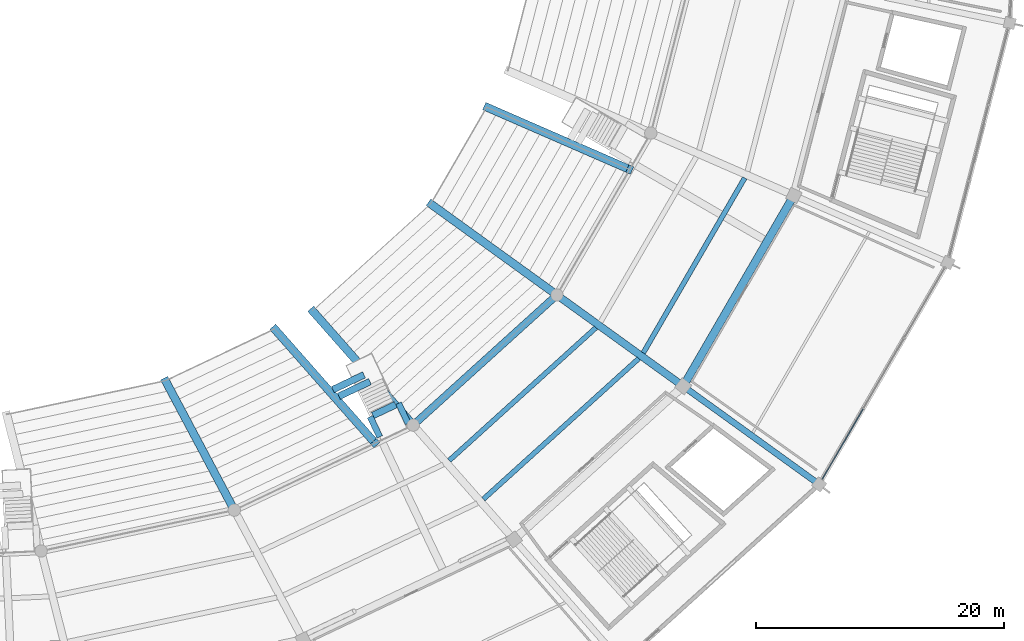
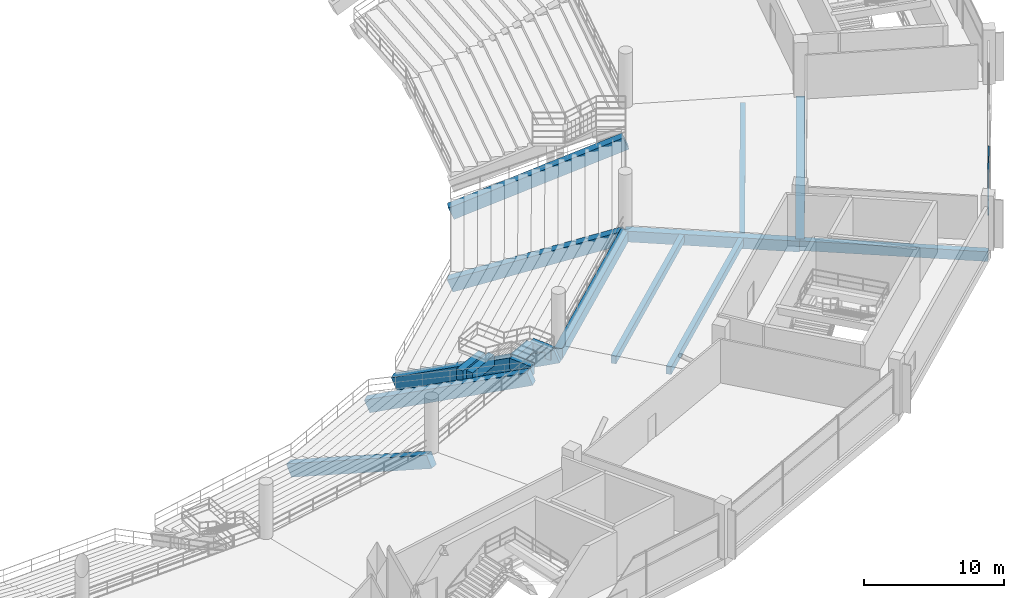
# One storey, part 50 of 156: 17 beams, 2 members, 1 element without a shape of its own.
"""IFC4 building model written with IfcOpenShell, lengths in metres."""

from ifc_helpers import new_model, si_unit, direction, frame, origin, origin_2d, place, context, subcontext, project, spatial, rectangle, hollow_rectangle, extrude, material, layer, layer_set, material_profile, profile_set, type_object, element, aggregate, save


model = new_model("IFC4")

# Units and contexts
model_context = context("Model", 3, precision=1e-05, world=origin(), true_north=direction((0.0, 1.0)))
body_context = subcontext(model_context, "Body", "Model", "MODEL_VIEW")
ifc_project = project(units=[si_unit("LENGTHUNIT", "METRE"), si_unit("AREAUNIT", "SQUARE_METRE"), si_unit("VOLUMEUNIT", "CUBIC_METRE"), si_unit("PLANEANGLEUNIT", "RADIAN"), si_unit("MASSUNIT", "GRAM", prefix="KILO")], contexts=[model_context])

# Site, building, storey
site_placement = place(None, origin())
site = spatial("IfcSite", under=ifc_project, at=site_placement, CompositionType="ELEMENT")
building_placement = place(site_placement, origin())
building = spatial("IfcBuilding", under=site, at=building_placement, Name="Kazemori Nagisa Stadium", CompositionType="ELEMENT")
storey_placement = place(building_placement, frame((0.0, 0.0, 5.780029296875)))
storey = spatial("IfcBuildingStorey", under=building, at=storey_placement, Name="L01", CompositionType="ELEMENT", Elevation=5.780029296875)

# Beams
ifc_material_1 = material(Name="Concrete C40/50 (Fc42)", Category="concrete")
ifc_material_profile_1 = material_profile(ifc_material_1, rectangle(XDim=0.5, YDim=0.85009765625, at=origin_2d()), Name="RC-BM-500x850")
ifc_profile_set_1 = profile_set([ifc_material_profile_1], Name="Concrete C40/50 (Fc42)")
beam_type_1 = type_object("IfcBeamType", Name="Beam_BG-RC500X850", PredefinedType="BEAM", material=ifc_profile_set_1)
beam_1_placement = place(storey_placement, frame((190.506103515625, 53.265869140625, -0.705078125), z_axis=(0.810787509935, -0.585340596349, 0.0), x_axis=(0.585340596349, 0.810787509935, 0.0)))
element("IfcBeam", 1, at=beam_1_placement, inside=storey, type_object=beam_type_1, Name="Radial girder BG-RC500X850 L01 R2-R3-26", PredefinedType="BEAM", context=body_context, shape_type="SweptSolid", body=[
    extrude(rectangle(XDim=0.5, YDim=0.85009765625, at=origin_2d()), origin(), (0.0, 0.0, 1.0), 13.5537109375),
])
ifc_material_profile_2 = material_profile(ifc_material_1, rectangle(XDim=0.60009765625, YDim=0.949951171875, at=origin_2d()), Name="RC-BM-600x950")
ifc_profile_set_2 = profile_set([ifc_material_profile_2], Name="Concrete C40/50 (Fc42)")
beam_type_2 = type_object("IfcBeamType", Name="Beam_BG-RC600X950", PredefinedType="BEAM", material=ifc_profile_set_2)
beam_2_placement = place(storey_placement, frame((168.696533203125, 50.126953125, -0.755126953125), z_axis=(0.741349160152, 0.6711195294, 0.0), x_axis=(-0.6711195294, 0.741349160152, 0.0)))
element("IfcBeam", 2, at=beam_2_placement, inside=storey, type_object=beam_type_2, Name="Ring girder BG-RC600X950 L01 R1-25", PredefinedType="BEAM", context=body_context, shape_type="SweptSolid", body=[
    extrude(rectangle(XDim=0.60009765625, YDim=0.949951171875, at=origin_2d()), origin(), (0.0, 0.0, 1.0), 15.65380859375),
])
beam_3_placement = place(storey_placement, frame((180.301513671875, 60.632568359375, -0.755126953125), z_axis=(0.810802996314, -0.585319144714, 0.0), x_axis=(0.585319144714, 0.810802996314, 0.0)))
element("IfcBeam", 3, at=beam_3_placement, inside=storey, type_object=beam_type_2, Name="Radial girder BG-RC600X950 L01 R1-R2-26", PredefinedType="BEAM", context=body_context, shape_type="SweptSolid", body=[
    extrude(rectangle(XDim=0.60009765625, YDim=0.949951171875, at=origin_2d()), origin(), (0.0, 0.0, 1.0), 12.585693359375),
])
ifc_material_profile_3 = material_profile(ifc_material_1, rectangle(XDim=0.64990234375, YDim=1.050048828125, at=origin_2d()), Name="RC-BM-650x1050")
ifc_profile_set_3 = profile_set([ifc_material_profile_3], Name="Concrete C40/50 (Fc42)")
beam_type_3 = type_object("IfcBeamType", Name="Beam_BG-RC650X1050", PredefinedType="BEAM", material=ifc_profile_set_3)
beam_4_placement = place(storey_placement, frame((190.506103515625, 53.265869140625, -0.804931640625), z_axis=(0.501606704589, 0.865095783085, 0.0), x_axis=(-0.865095783085, 0.501606704589, 0.0)))
element("IfcBeam", 4, at=beam_4_placement, inside=storey, type_object=beam_type_3, Name="Ring girder BG-RC650X1050 L01 R2-26", PredefinedType="BEAM", context=body_context, shape_type="SweptSolid", body=[
    extrude(rectangle(XDim=0.64990234375, YDim=1.050048828125, at=origin_2d()), origin(), (0.0, 0.0, 1.0), 17.8125),
])
ifc_material_profile_4 = material_profile(ifc_material_1, rectangle(XDim=0.5, YDim=0.949951171875, at=origin_2d()), Name="RC-BM-500x950")
ifc_profile_set_4 = profile_set([ifc_material_profile_4], Name="Concrete C40/50 (Fc42)")
beam_type_4 = type_object("IfcBeamType", Name="Beam_BG-TR500X950", PredefinedType="BEAM", material=ifc_profile_set_4)
beam_5_placement = place(storey_placement, frame((167.51513671875, 51.890625, -0.695068359375), z_axis=(0.42916164922, -0.903227700438, 0.0), x_axis=(0.903227700438, 0.42916164922, 0.0)))
element("IfcBeam", 5, at=beam_5_placement, inside=storey, type_object=beam_type_4, Name="Lower vomitory left trimmer girder B24", PredefinedType="BEAM", context=body_context, shape_type="SweptSolid", body=[
    extrude(rectangle(XDim=0.5, YDim=0.949951171875, at=origin_2d()), origin(), (0.0, 0.0, 1.0), 1.804931640625),
])
beam_6_placement = place(storey_placement, frame((165.220947265625, 50.800537109375, -0.695068359375), z_axis=(0.42927198275, -0.903175268055, 0.0), x_axis=(0.903175268055, 0.42927198275, 0.0)))
element("IfcBeam", 6, at=beam_6_placement, inside=storey, type_object=beam_type_4, Name="Lower vomitory right trimmer girder B24", PredefinedType="BEAM", context=body_context, shape_type="SweptSolid", body=[
    extrude(rectangle(XDim=0.5, YDim=0.949951171875, at=origin_2d()), origin(), (0.0, 0.0, 1.0), 1.80517578125),
])
ifc_material_profile_5 = material_profile(ifc_material_1, rectangle(XDim=0.550048828125, YDim=0.949951171875, at=origin_2d()), Name="RC-BM-550x950")
ifc_profile_set_5 = profile_set([ifc_material_profile_5], Name="Concrete C40/50 (Fc42)")
beam_type_5 = type_object("IfcBeamType", Name="Beam_BG-TR550X950", PredefinedType="BEAM", material=ifc_profile_set_5)
beam_7_placement = place(storey_placement, frame((167.2939453125, 51.785400390625, -0.695068359375), z_axis=(-0.903249807764, -0.429115118324, 0.0), x_axis=(0.429115118324, -0.903249807764, 0.0)))
element("IfcBeam", 7, at=beam_7_placement, inside=storey, type_object=beam_type_5, Name="Lower vomitory portal header girder B24", PredefinedType="BEAM", context=body_context, shape_type="SweptSolid", body=[
    extrude(rectangle(XDim=0.550048828125, YDim=0.949951171875, at=origin_2d()), origin(), (0.0, 0.0, 1.0), 2.0498046875),
])
for number, where, z_axis, x_axis, name in (
    (8, (162.69140625, 52.44921875, -2.135009765625), (0.903222189905, 0.429173246676, 0.0), (-0.429173246676, 0.903222189905, 0.0), "Vomitory landing cross-beam VL10-1"),
    (9, (162.212890625, 52.992431640625, -2.135009765625), (0.903222189905, 0.429173246676, 0.0), (-0.429173246676, 0.903222189905, 0.0), "Vomitory landing cross-beam VL10-2"),
):
    element("IfcBeam", number, at=place(storey_placement, frame(where, z_axis=z_axis, x_axis=x_axis)), inside=storey, type_object=beam_type_5, Name=name, PredefinedType="BEAM", context=body_context, shape_type="SweptSolid", body=[
        extrude(rectangle(XDim=0.550048828125, YDim=0.949951171875, at=origin_2d()), origin(), (0.0, 0.0, 1.0), 2.780029296875),
    ])
ifc_material_profile_6 = material_profile(ifc_material_1, rectangle(XDim=0.39990234375, YDim=0.64990234375, at=origin_2d()), Name="RC-BM-400x650")
ifc_profile_set_6 = profile_set([ifc_material_profile_6], Name="Concrete C40/50 (Fc42)")
beam_type_6 = type_object("IfcBeamType", Name="Beam_BJ-RC400X650", PredefinedType="JOIST", material=ifc_profile_set_6)
beam_8_placement = place(storey_placement, frame((171.60693359375, 47.269287109375, -0.60498046875), z_axis=(0.741344716793, 0.671124437704, 0.0), x_axis=(-0.671124437704, 0.741344716793, 0.0)))
element("IfcBeam", 10, at=beam_8_placement, inside=storey, type_object=beam_type_6, Name="Concourse joist BJ-RC400X650 L01 B25-1", PredefinedType="JOIST", context=body_context, shape_type="SweptSolid", body=[
    extrude(rectangle(XDim=0.39990234375, YDim=0.64990234375, at=origin_2d()), origin(), (0.0, 0.0, 1.0), 15.986328125),
])
beam_9_placement = place(storey_placement, frame((174.361328125, 44.142822265625, -0.60498046875), z_axis=(0.741349213887, 0.671119470041, 0.0), x_axis=(-0.671119470041, 0.741349213887, 0.0)))
element("IfcBeam", 11, at=beam_9_placement, inside=storey, type_object=beam_type_6, Name="Concourse joist BJ-RC400X650 L01 B25-2", PredefinedType="JOIST", context=body_context, shape_type="SweptSolid", body=[
    extrude(rectangle(XDim=0.39990234375, YDim=0.64990234375, at=origin_2d()), origin(), (0.0, 0.0, 1.0), 16.9296875),
])
beam_10_placement = place(storey_placement, frame((187.27880859375, 55.957763671875, -0.60498046875), z_axis=(0.501604213872, 0.865097227268, 0.0), x_axis=(-0.865097227268, 0.501604213872, 0.0)))
element("IfcBeam", 12, at=beam_10_placement, inside=storey, type_object=beam_type_6, Name="Concourse joist BJ-RC400X650 L01 B26-2", PredefinedType="JOIST", context=body_context, shape_type="SweptSolid", body=[
    extrude(rectangle(XDim=0.39990234375, YDim=0.64990234375, at=origin_2d()), origin(), (0.0, 0.0, 1.0), 16.331787109375),
])
ifc_material_profile_7 = material_profile(ifc_material_1, rectangle(XDim=0.64990234375, YDim=1.10009765625, at=origin_2d()), Name="RC-RK-650x1100")
ifc_profile_set_7 = profile_set([ifc_material_profile_7], Name="Concrete C40/50 (Fc42)")
beam_type_7 = type_object("IfcBeamType", Name="Beam_RK-RC650X1100", PredefinedType="USERDEFINED", material=ifc_profile_set_7)
beam_11_placement = place(storey_placement, frame((148.682861328125, 53.721435546875, -5.97998046875), z_axis=(0.430727413965, -0.809676075056, 0.398620807712), x_axis=(0.882850394325, 0.469654321007, 0.0)))
element("IfcBeam", 13, at=beam_11_placement, inside=storey, type_object=beam_type_7, Name="Raker beam lower RK1-24", ObjectType="RAKER BEAM", PredefinedType="USERDEFINED", context=body_context, shape_type="SweptSolid", body=[
    extrude(rectangle(XDim=0.64990234375, YDim=1.10009765625, at=origin_2d()), origin(), (0.0, 0.0, 1.0), 12.919189453125),
])
beam_12_placement = place(storey_placement, frame((160.558837890625, 59.364501953125, -5.97998046875), z_axis=(0.609816072316, -0.692236011287, 0.385919243653), x_axis=(0.750364849943, 0.66102389667, 0.0)))
element("IfcBeam", 14, at=beam_12_placement, inside=storey, type_object=beam_type_7, Name="Raker beam lower RK1-25", ObjectType="RAKER BEAM", PredefinedType="USERDEFINED", context=body_context, shape_type="SweptSolid", body=[
    extrude(rectangle(XDim=0.64990234375, YDim=1.10009765625, at=origin_2d()), origin(), (0.0, 0.0, 1.0), 13.344482421875),
])
beam_13_placement = place(storey_placement, frame((170.09716796875, 67.99951171875, -5.97998046875), z_axis=(0.75039658513, -0.541742635985, 0.378708174432), x_axis=(0.58534110289, 0.810787144242, 0.0)))
element("IfcBeam", 15, at=beam_13_placement, inside=storey, type_object=beam_type_7, Name="Raker beam lower RK1-26", ObjectType="RAKER BEAM", PredefinedType="USERDEFINED", context=body_context, shape_type="SweptSolid", body=[
    extrude(rectangle(XDim=0.64990234375, YDim=1.10009765625, at=origin_2d()), origin(), (0.0, 0.0, 1.0), 13.5986328125),
])
beam_14_placement = place(storey_placement, frame((157.48779296875, 57.9052734375, -5.97998046875), z_axis=(0.609816072316, -0.692236011287, 0.385919243653), x_axis=(0.750364849943, 0.66102389667, 0.0)))
element("IfcBeam", 16, at=beam_14_placement, inside=storey, type_object=beam_type_7, Name="Raker beam lower vomitory cheek RK1V-24", ObjectType="RAKER BEAM", PredefinedType="USERDEFINED", context=body_context, shape_type="SweptSolid", body=[
    extrude(rectangle(XDim=0.64990234375, YDim=1.10009765625, at=origin_2d()), origin(), (0.0, 0.0, 1.0), 13.344482421875),
])
beam_15_placement = place(storey_placement, frame((174.62548828125, 75.808837890625, -5.97998046875), z_axis=(0.848589087357, -0.369941022194, 0.378206558531), x_axis=(0.399624648835, 0.916678864185, 0.0)))
element("IfcBeam", 17, at=beam_15_placement, inside=storey, type_object=beam_type_7, Name="Raker beam lower vomitory cheek RK1V-26", ObjectType="RAKER BEAM", PredefinedType="USERDEFINED", context=body_context, shape_type="SweptSolid", body=[
    extrude(rectangle(XDim=0.64990234375, YDim=1.10009765625, at=origin_2d()), origin(), (0.0, 0.0, 1.0), 13.61669921875),
])

# Curtain wall, members
ifc_material_2 = material(Name="Anodised aluminium 6063-T5", Category="aluminium")
ifc_layer = layer(ifc_material_2, 0.179931640625, Name="Anodised aluminium 6063-T5", Category="aluminium")
ifc_layer_set = layer_set([ifc_layer], Name="Anodised aluminium 6063-T5")
curtain_wall_type = type_object("IfcCurtainWallType", Name="CW_L01R3_99", PredefinedType="USERDEFINED", material=ifc_layer_set)
curtain_wall_placement = place(storey_placement, origin())
curtain_wall = element("IfcCurtainWall", 18, at=curtain_wall_placement, inside=storey, type_object=curtain_wall_type, Name="Unitised curtain wall CW-L01R3-99 L01", ObjectType="UNITISED CURTAIN WALL", PredefinedType="USERDEFINED")
ifc_material_3 = material(Name="Aluminium 6063-T5 anodised", Category="aluminium")
ifc_material_profile_8 = material_profile(ifc_material_3, hollow_rectangle(XDim=0.070068359375, YDim=0.139892578125, WallThickness=0.00390625, at=origin_2d()), Name="ALU-TRAN-70x140x4")
ifc_profile_set_8 = profile_set([ifc_material_profile_8], Name="Aluminium 6063-T5 anodised")
member_type = type_object("IfcMemberType", Name="Transom_T01", PredefinedType="USERDEFINED", material=ifc_profile_set_8)
member_1_placement = place(storey_placement, frame((201.74365234375, 45.760498046875, 2.4638671875), z_axis=(0.501590295943, 0.865105297069, 0.0), x_axis=(-0.865105297069, 0.501590295943, 0.0)))
member_1 = element("IfcMember", 19, at=member_1_placement, type_object=member_type, Name="Curtain wall transom CW-L01R3-99-T1-mid", ObjectType="TRANSOM", PredefinedType="USERDEFINED", context=body_context, shape_type="SweptSolid", body=[
    extrude(hollow_rectangle(XDim=0.070068359375, YDim=0.139892578125, WallThickness=0.00390625, at=origin_2d()), origin(), (0.0, 0.0, 1.0), 6.547607421875),
])
member_2_placement = place(storey_placement, frame((201.74365234375, 45.760498046875, 3.780029296875), z_axis=(0.501590295943, 0.865105297069, 0.0), x_axis=(-0.865105297069, 0.501590295943, 0.0)))
member_2 = element("IfcMember", 20, at=member_2_placement, type_object=member_type, Name="Curtain wall transom CW-L01R3-99-T1-head", ObjectType="TRANSOM", PredefinedType="USERDEFINED", context=body_context, shape_type="SweptSolid", body=[
    extrude(hollow_rectangle(XDim=0.070068359375, YDim=0.139892578125, WallThickness=0.00390625, at=origin_2d()), origin(), (0.0, 0.0, 1.0), 6.547607421875),
])
aggregate(curtain_wall, [member_1, member_2])

save(model, "model.ifc")
